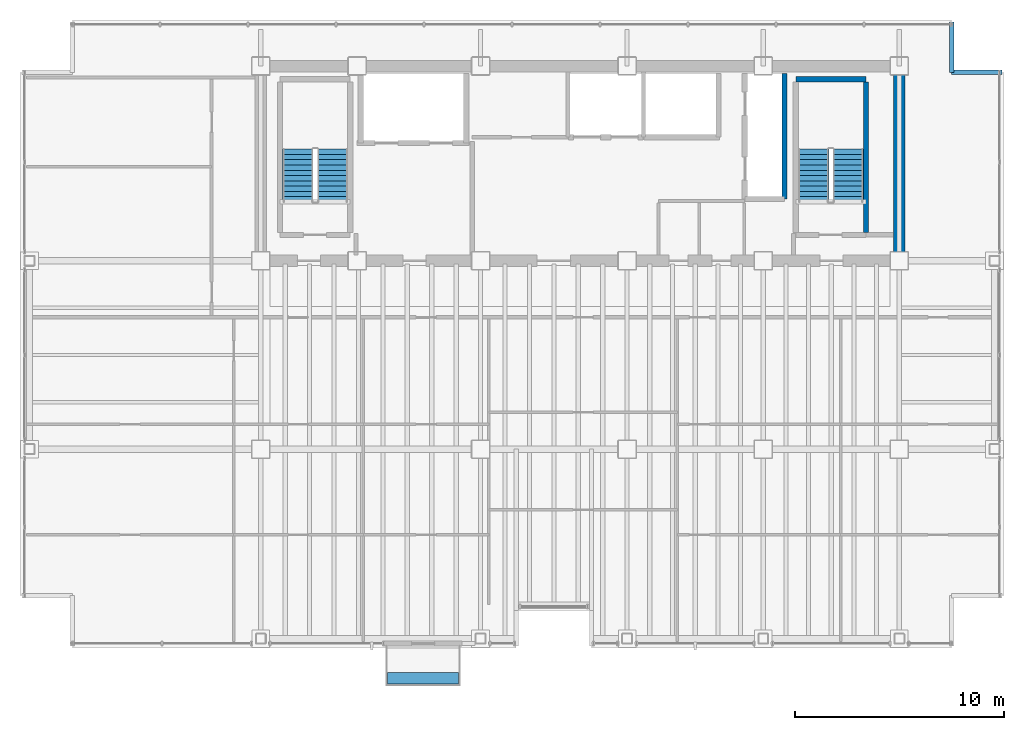
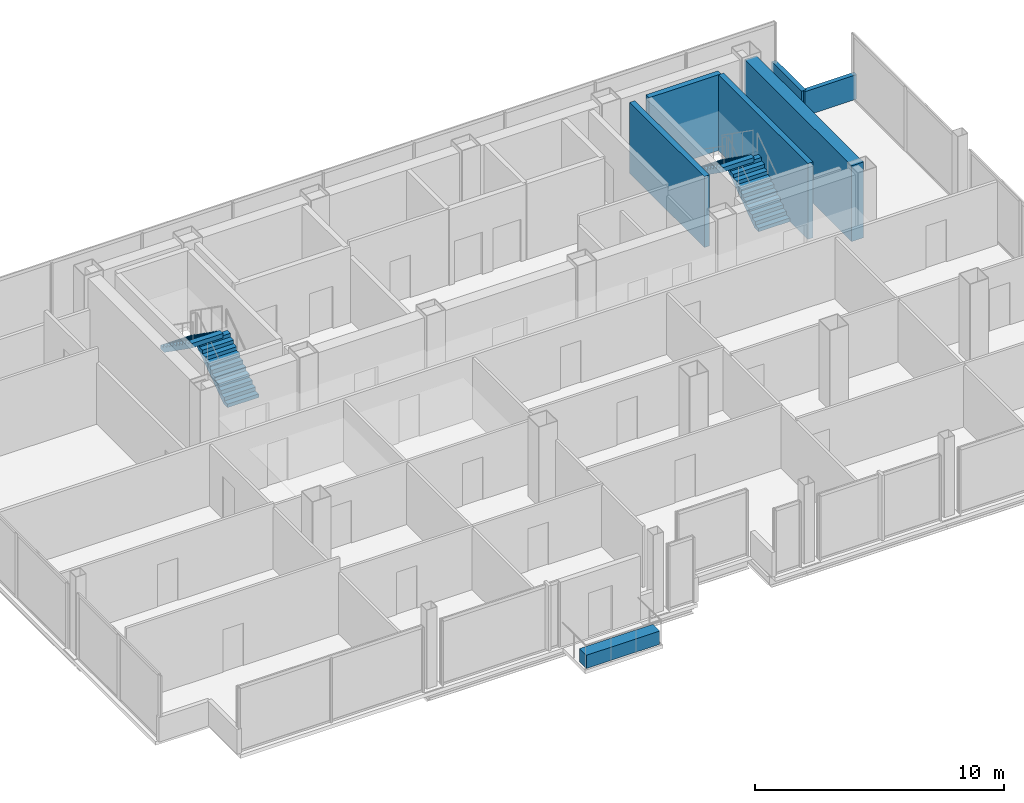
# One storey, part 21 of 22: 6 walls, 4 stair flights, 1 discrete accessory, 2 elements without a shape of their own.
"""IFC4 building model written with IfcOpenShell, lengths in metres."""

from ifc_helpers import new_model, si_unit, direction, frame, frame_2d, origin, origin_2d, place, context, subcontext, project, spatial, polyline, rectangle, outline, extrude, material, layer, layer_set, type_object, element, aggregate, save


model = new_model("IFC4")

# Units and contexts
model_context = context("Model", 3, precision=1e-05, world=origin(), true_north=direction((0.0, 1.0)))
body_context = subcontext(model_context, "Body", "Model", "MODEL_VIEW")
ifc_project = project(units=[si_unit("LENGTHUNIT", "METRE"), si_unit("AREAUNIT", "SQUARE_METRE"), si_unit("VOLUMEUNIT", "CUBIC_METRE"), si_unit("PLANEANGLEUNIT", "RADIAN"), si_unit("MASSUNIT", "GRAM", prefix="KILO")], contexts=[model_context])

# Site, building, storey
site_placement = place(None, origin())
site = spatial("IfcSite", under=ifc_project, at=site_placement, CompositionType="ELEMENT")
building_placement = place(site_placement, origin())
building = spatial("IfcBuilding", under=site, at=building_placement, Name="Noeulbin Bourse Tower", CompositionType="ELEMENT")
storey_placement = place(building_placement, frame((0.0, 0.0, 134.39990234375)))
storey = spatial("IfcBuildingStorey", under=building, at=storey_placement, Name="L33", CompositionType="ELEMENT", Elevation=134.39990234375)

# Walls
ifc_material_1 = material(Name="Concrete C60/75", Category="concrete")
ifc_layer_1 = layer(ifc_material_1, 0.550048828125)
ifc_layer_set_1 = layer_set([ifc_layer_1], Name="Concrete C60/75")
wall_type_1 = type_object("IfcWallType", Name="WAL-CORE-550", PredefinedType="SHEAR", material=ifc_layer_set_1)
wall_1_placement = place(storey_placement, frame((44.0, 29.35009765625, 0.0), z_axis=(0.0, 0.0, 1.0), x_axis=(0.0, 1.0, 0.0)))
element("IfcWall", 1, at=wall_1_placement, inside=storey, type_object=wall_type_1, Name="Rear Core East Shear Wall L33", PredefinedType="SHEAR", context=body_context, shape_type="SweptSolid", body=[
    extrude(rectangle(XDim=8.599853515625, YDim=0.550048828125, at=frame_2d((4.2998046875, 0.0))), origin(), (0.0, 0.0, 1.0), 3.72021484375),
])
ifc_material_2 = material(Name="Concrete C40/50", Category="concrete")
ifc_layer_2 = layer(ifc_material_2, 0.199951171875)
ifc_layer_set_2 = layer_set([ifc_layer_2], Name="Concrete C40/50")
wall_type_2 = type_object("IfcWallType", Name="WAL-PAR-200", PredefinedType="PARAPET", material=ifc_layer_set_2)
for number, where, z_axis, x_axis, name in (
    (2, (46.5, 40.39990234375, 0.0), (0.0, 0.0, 1.0), (0.0, -1.0, 0.0), "Corner Notch Parapet L33-NE1"),
    (3, (46.5, 38.0, 0.0), (0.0, 0.0, 1.0), (1.0, 0.0, 0.0), "Corner Notch Parapet L33-NE2"),
):
    element("IfcWall", number, at=place(storey_placement, frame(where, z_axis=z_axis, x_axis=x_axis)), inside=storey, type_object=wall_type_2, Name=name, PredefinedType="PARAPET", context=body_context, shape_type="SweptSolid", body=[
        extrude(rectangle(XDim=2.39990234375, YDim=0.199951171875, at=frame_2d((1.199951171875, 0.0))), origin(), (0.0, 0.0, 1.0), 1.2001953125),
    ])
ifc_layer_3 = layer(ifc_material_2, 0.25)
ifc_layer_set_3 = layer_set([ifc_layer_3], Name="Concrete C40/50")
wall_type_3 = type_object("IfcWallType", Name="WAL-SHFT-250", PredefinedType="STANDARD", material=ifc_layer_set_3)
wall_2_placement = place(storey_placement, frame((39.06005859375, 37.6689453125, 0.0), z_axis=(0.0, 0.0, 1.0), x_axis=(1.0, 0.0, 0.0)))
element("IfcWall", 4, at=wall_2_placement, inside=storey, type_object=wall_type_3, Name="Stair ST-2 North Shaft Wall L33", PredefinedType="STANDARD", context=body_context, shape_type="SweptSolid", body=[
    extrude(rectangle(XDim=3.33984375, YDim=0.25, at=frame_2d((1.669921875, 0.0))), origin(), (0.0, 0.0, 1.0), 3.72021484375),
])
wall_3_placement = place(storey_placement, frame((42.405029296875, 30.360107421875, 0.0), z_axis=(0.0, 0.0, 1.0), x_axis=(0.0, 1.0, 0.0)))
element("IfcWall", 5, at=wall_3_placement, inside=storey, type_object=wall_type_3, Name="Stair ST-2 East Shaft Wall L33", PredefinedType="STANDARD", context=body_context, shape_type="SweptSolid", body=[
    extrude(rectangle(XDim=7.183837890625, YDim=0.25, at=frame_2d((3.591796875, 0.0))), origin(), (0.0, 0.0, 1.0), 3.72021484375),
])
wall_4_placement = place(storey_placement, frame((38.52001953125, 31.949951171875, 0.0), z_axis=(0.0, 0.0, 1.0), x_axis=(0.0, 1.0, 0.0)))
element("IfcWall", 6, at=wall_4_placement, inside=storey, type_object=wall_type_3, Name="Service Lift East Shaft Wall L33", PredefinedType="STANDARD", context=body_context, shape_type="SweptSolid", body=[
    extrude(rectangle(XDim=6.0, YDim=0.25, at=frame_2d((3.0, 0.0))), origin(), (0.0, 0.0, 1.0), 3.47998046875),
])

# Stair, stair flights
stair_type = type_object("IfcStairType", Name="STR-CORE-1560", PredefinedType="HALF_TURN_STAIR", material=ifc_material_2)
stair_1_placement = place(storey_placement, origin())
stair_1 = element("IfcStair", 7, at=stair_1_placement, inside=storey, type_object=stair_type, Name="L33 ST-1", PredefinedType="HALF_TURN_STAIR")
stair_flight_type = type_object("IfcStairFlightType", Name="SFL-CORE-1560", PredefinedType="STRAIGHT", material=ifc_material_2)
stair_flight_1_placement = place(storey_placement, frame((16.925048828125, 31.81005859375, 0.0), z_axis=(0.0, 0.0, 1.0), x_axis=(0.0, 1.0, 0.0)))
stair_flight_1 = element("IfcStairFlight", 8, at=stair_flight_1_placement, type_object=stair_flight_type, Name="ST-1 flight 1", NumberOfRisers=11, NumberOfTreads=10, PredefinedType="STRAIGHT", RiserHeight=0.177272727, TreadLength=0.252, context=body_context, shape_type="SweptSolid", body=[
    extrude(outline(polyline([(0.0, 0.0), (0.0, 0.17724609375), (0.251953125, 0.17724609375), (0.251953125, 0.3544921875), (0.50390625, 0.3544921875), (0.50390625, 0.53173828125), (0.756103515625, 0.53173828125), (0.756103515625, 0.708984375), (1.008056640625, 0.708984375), (1.008056640625, 0.886474609375), (1.260009765625, 0.886474609375), (1.260009765625, 1.063720703125), (1.511962890625, 1.063720703125), (1.511962890625, 1.240966796875), (1.763916015625, 1.240966796875), (1.763916015625, 1.418212890625), (2.01611328125, 1.418212890625), (2.01611328125, 1.595458984375), (2.26806640625, 1.595458984375), (2.26806640625, 1.772705078125), (2.52001953125, 1.772705078125), (2.52001953125, 1.949951171875), (2.52001953125, 1.552734375), (0.312744140625, 0.0), (0.0, 0.0)])), frame((0.0, 0.72509765625, 0.0), z_axis=(0.0, -1.0, 0.0), x_axis=(1.0, 0.0, 0.0)), (0.0, 0.0, 1.0), 1.449951171875),
])
stair_flight_2_placement = place(storey_placement, frame((15.27490234375, 34.330078125, 1.9501953125), z_axis=(0.0, 0.0, 1.0), x_axis=(0.0, -1.0, 0.0)))
stair_flight_2 = element("IfcStairFlight", 9, at=stair_flight_2_placement, type_object=stair_flight_type, Name="ST-1 flight 2", NumberOfRisers=11, NumberOfTreads=10, PredefinedType="STRAIGHT", RiserHeight=0.177272727, TreadLength=0.252, context=body_context, shape_type="SweptSolid", body=[
    extrude(outline(polyline([(0.0, 0.0), (0.0, 0.17724609375), (0.251953125, 0.17724609375), (0.251953125, 0.3544921875), (0.50390625, 0.3544921875), (0.50390625, 0.53173828125), (0.756103515625, 0.53173828125), (0.756103515625, 0.708984375), (1.008056640625, 0.708984375), (1.008056640625, 0.886474609375), (1.260009765625, 0.886474609375), (1.260009765625, 1.063720703125), (1.511962890625, 1.063720703125), (1.511962890625, 1.240966796875), (1.763916015625, 1.240966796875), (1.763916015625, 1.418212890625), (2.01611328125, 1.418212890625), (2.01611328125, 1.595458984375), (2.26806640625, 1.595458984375), (2.26806640625, 1.772705078125), (2.52001953125, 1.772705078125), (2.52001953125, 1.949951171875), (2.52001953125, 1.552734375), (0.312744140625, 0.0), (0.0, 0.0)])), frame((0.0, 0.72509765625, 0.0), z_axis=(0.0, -1.0, 0.0), x_axis=(1.0, 0.0, 0.0)), (0.0, 0.0, 1.0), 1.449951171875),
])
aggregate(stair_1, [stair_flight_1, stair_flight_2])

stair_2_placement = place(storey_placement, origin())
stair_2 = element("IfcStair", 10, at=stair_2_placement, inside=storey, type_object=stair_type, Name="L33 ST-2", PredefinedType="HALF_TURN_STAIR")
stair_flight_3_placement = place(storey_placement, frame((41.554931640625, 31.81005859375, 0.0), z_axis=(0.0, 0.0, 1.0), x_axis=(0.0, 1.0, 0.0)))
stair_flight_3 = element("IfcStairFlight", 11, at=stair_flight_3_placement, type_object=stair_flight_type, Name="ST-2 flight 1", NumberOfRisers=11, NumberOfTreads=10, PredefinedType="STRAIGHT", RiserHeight=0.177272727, TreadLength=0.252, context=body_context, shape_type="SweptSolid", body=[
    extrude(outline(polyline([(0.0, 0.0), (0.0, 0.17724609375), (0.251953125, 0.17724609375), (0.251953125, 0.3544921875), (0.50390625, 0.3544921875), (0.50390625, 0.53173828125), (0.756103515625, 0.53173828125), (0.756103515625, 0.708984375), (1.008056640625, 0.708984375), (1.008056640625, 0.886474609375), (1.260009765625, 0.886474609375), (1.260009765625, 1.063720703125), (1.511962890625, 1.063720703125), (1.511962890625, 1.240966796875), (1.763916015625, 1.240966796875), (1.763916015625, 1.418212890625), (2.01611328125, 1.418212890625), (2.01611328125, 1.595458984375), (2.26806640625, 1.595458984375), (2.26806640625, 1.772705078125), (2.52001953125, 1.772705078125), (2.52001953125, 1.949951171875), (2.52001953125, 1.552734375), (0.312744140625, 0.0), (0.0, 0.0)])), frame((0.0, 0.72509765625, 0.0), z_axis=(0.0, -1.0, 0.0), x_axis=(1.0, 0.0, 0.0)), (0.0, 0.0, 1.0), 1.449951171875),
])
stair_flight_4_placement = place(storey_placement, frame((39.905029296875, 34.330078125, 1.9501953125), z_axis=(0.0, 0.0, 1.0), x_axis=(0.0, -1.0, 0.0)))
stair_flight_4 = element("IfcStairFlight", 12, at=stair_flight_4_placement, type_object=stair_flight_type, Name="ST-2 flight 2", NumberOfRisers=11, NumberOfTreads=10, PredefinedType="STRAIGHT", RiserHeight=0.177272727, TreadLength=0.252, context=body_context, shape_type="SweptSolid", body=[
    extrude(outline(polyline([(0.0, 0.0), (0.0, 0.17724609375), (0.251953125, 0.17724609375), (0.251953125, 0.3544921875), (0.50390625, 0.3544921875), (0.50390625, 0.53173828125), (0.756103515625, 0.53173828125), (0.756103515625, 0.708984375), (1.008056640625, 0.708984375), (1.008056640625, 0.886474609375), (1.260009765625, 0.886474609375), (1.260009765625, 1.063720703125), (1.511962890625, 1.063720703125), (1.511962890625, 1.240966796875), (1.763916015625, 1.240966796875), (1.763916015625, 1.418212890625), (2.01611328125, 1.418212890625), (2.01611328125, 1.595458984375), (2.26806640625, 1.595458984375), (2.26806640625, 1.772705078125), (2.52001953125, 1.772705078125), (2.52001953125, 1.949951171875), (2.52001953125, 1.552734375), (0.312744140625, 0.0), (0.0, 0.0)])), frame((0.0, 0.72509765625, 0.0), z_axis=(0.0, -1.0, 0.0), x_axis=(1.0, 0.0, 0.0)), (0.0, 0.0, 1.0), 1.449951171875),
])
aggregate(stair_2, [stair_flight_3, stair_flight_4])

# Discrete accessory
ifc_material_3 = material(Name="Architectural GFRC Concrete C40/50", Category="concrete")
ifc_layer_4 = layer(ifc_material_3, 0.64990234375)
ifc_layer_set_4 = layer_set([ifc_layer_4], Name="Architectural GFRC Concrete C40/50")
discrete_accessory_type = type_object("IfcDiscreteAccessoryType", Name="PLANTER-BOX-3600", PredefinedType="USERDEFINED", material=ifc_layer_set_4)
discrete_accessory_placement = place(storey_placement, frame((21.25, 9.06005859375, 0.000244140625), z_axis=(0.0, 0.0, 1.0), x_axis=(1.0, 0.0, 0.0)))
element("IfcDiscreteAccessory", 13, at=discrete_accessory_placement, inside=storey, type_object=discrete_accessory_type, Name="Integrated Balcony Tree Planter Box L33", ObjectType="PLANTER", PredefinedType="USERDEFINED", context=body_context, shape_type="SweptSolid", body=[
    extrude(rectangle(XDim=3.39990234375, YDim=0.550048828125, at=origin_2d()), origin(), (0.0, 0.0, 1.0), 0.64990234375),
])

save(model, "model.ifc")
